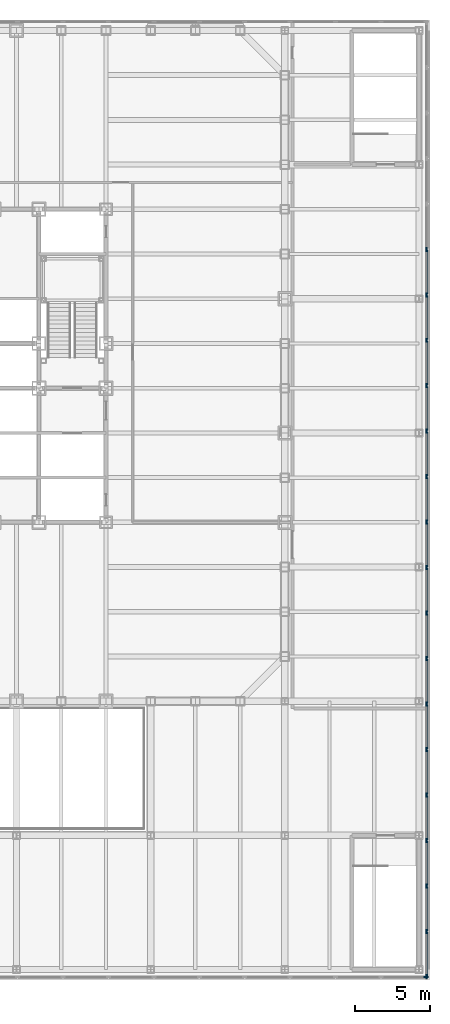
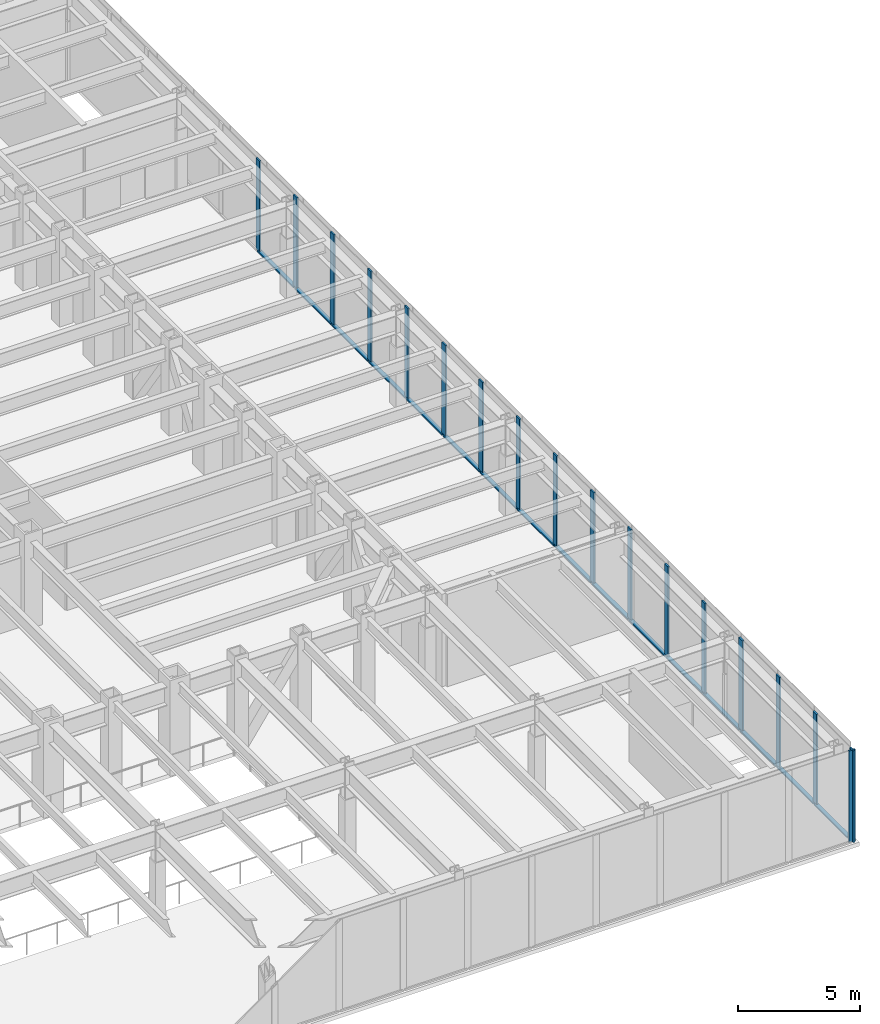
# One storey, part 8 of 24: 34 members, 2 elements without a shape of their own.
"""IFC4 building model written with IfcOpenShell, lengths in metres."""

from ifc_helpers import new_model, si_unit, direction, frame, origin, origin_2d, place, context, subcontext, project, spatial, rectangle, extrude, material, layer, layer_set, material_profile, profile_set, type_object, element, aggregate, save


model = new_model("IFC4")

# Units and contexts
model_context = context("Model", 3, precision=1e-05, world=origin(), true_north=direction((0.0, 1.0)))
body_context = subcontext(model_context, "Body", "Model", "MODEL_VIEW")
ifc_project = project(units=[si_unit("LENGTHUNIT", "METRE"), si_unit("AREAUNIT", "SQUARE_METRE"), si_unit("VOLUMEUNIT", "CUBIC_METRE"), si_unit("PLANEANGLEUNIT", "RADIAN"), si_unit("MASSUNIT", "GRAM", prefix="KILO")], contexts=[model_context])

# Site, building, storey
site_placement = place(None, origin())
site = spatial("IfcSite", under=ifc_project, at=site_placement, CompositionType="ELEMENT")
building_placement = place(site_placement, origin())
building = spatial("IfcBuilding", under=site, at=building_placement, Name="Chuquiago Exchange Tower", CompositionType="ELEMENT")
storey_placement = place(building_placement, frame((0.0, 0.0, 19.5)))
storey = spatial("IfcBuildingStorey", under=building, at=storey_placement, Name="L03", CompositionType="ELEMENT", Elevation=19.5)

# Curtain wall, member
ifc_material_1 = material(Name="Aluminium curtain wall system", Category="aluminium")
ifc_layer = layer(ifc_material_1, 0.300048828125)
ifc_layer_set = layer_set([ifc_layer], Name="CW4 podium curtain wall")
curtain_wall_type = type_object("IfcCurtainWallType", Name="CW4 podium curtain wall", PredefinedType="NOTDEFINED", material=ifc_layer_set)
curtain_wall_1_placement = place(storey_placement, origin())
curtain_wall_1 = element("IfcCurtainWall", 1, at=curtain_wall_1_placement, inside=storey, type_object=curtain_wall_type, Name="CW4 curtain wall L03", PredefinedType="NOTDEFINED")
ifc_material_2 = material(Name="Aluminium mullion, pale anodised", Category="aluminium")
ifc_material_profile_1 = material_profile(ifc_material_2, rectangle(XDim=0.074951171875, YDim=0.300048828125, at=origin_2d()), Name="AL 75x300")
ifc_profile_set_1 = profile_set([ifc_material_profile_1], Name="Aluminium mullion, pale anodised")
member_type_1 = type_object("IfcMemberType", Name="CW4-M mullion 75x300", PredefinedType="MULLION", material=ifc_profile_set_1)
member_1_placement = place(storey_placement, frame((54.46240234375, -18.5, 0.0), z_axis=(0.0, 0.0, 1.0), x_axis=(0.0, 1.0, 0.0)))
member_1 = element("IfcMember", 2, at=member_1_placement, type_object=member_type_1, Name="CW4 mullion 22", PredefinedType="MULLION", context=body_context, shape_type="SweptSolid", body=[
    extrude(rectangle(XDim=0.074951171875, YDim=0.300048828125, at=origin_2d()), origin(), (0.0, 0.0, 1.0), 4.60009765625),
])
aggregate(curtain_wall_1, [member_1])

# Curtain wall, members
curtain_wall_2_placement = place(storey_placement, origin())
curtain_wall_2 = element("IfcCurtainWall", 3, at=curtain_wall_2_placement, inside=storey, type_object=curtain_wall_type, Name="CW4 curtain wall L03", PredefinedType="NOTDEFINED")
member_2_placement = place(storey_placement, frame((54.5, -18.46240234375, 0.0), z_axis=(0.0, 0.0, 1.0), x_axis=(-1.0, 0.0, 0.0)))
member_2 = element("IfcMember", 4, at=member_2_placement, type_object=member_type_1, Name="CW4 mullion 1", PredefinedType="MULLION", context=body_context, shape_type="SweptSolid", body=[
    extrude(rectangle(XDim=0.074951171875, YDim=0.300048828125, at=origin_2d()), origin(), (0.0, 0.0, 1.0), 4.60009765625),
])
member_3_placement = place(storey_placement, frame((54.5, -15.44873046875, 0.0), z_axis=(0.0, 0.0, 1.0), x_axis=(-1.0, 0.0, 0.0)))
member_3 = element("IfcMember", 5, at=member_3_placement, type_object=member_type_1, Name="CW4 mullion 2", PredefinedType="MULLION", context=body_context, shape_type="SweptSolid", body=[
    extrude(rectangle(XDim=0.074951171875, YDim=0.300048828125, at=origin_2d()), origin(), (0.0, 0.0, 1.0), 4.60009765625),
])
member_4_placement = place(storey_placement, frame((54.5, -12.397705078125, 0.0), z_axis=(0.0, 0.0, 1.0), x_axis=(-1.0, 0.0, 0.0)))
member_4 = element("IfcMember", 6, at=member_4_placement, type_object=member_type_1, Name="CW4 mullion 3", PredefinedType="MULLION", context=body_context, shape_type="SweptSolid", body=[
    extrude(rectangle(XDim=0.074951171875, YDim=0.300048828125, at=origin_2d()), origin(), (0.0, 0.0, 1.0), 4.60009765625),
])
member_5_placement = place(storey_placement, frame((54.5, -9.346435546875, 0.0), z_axis=(0.0, 0.0, 1.0), x_axis=(-1.0, 0.0, 0.0)))
member_5 = element("IfcMember", 7, at=member_5_placement, type_object=member_type_1, Name="CW4 mullion 4", PredefinedType="MULLION", context=body_context, shape_type="SweptSolid", body=[
    extrude(rectangle(XDim=0.074951171875, YDim=0.300048828125, at=origin_2d()), origin(), (0.0, 0.0, 1.0), 4.60009765625),
])
member_6_placement = place(storey_placement, frame((54.5, -6.295166015625, 0.0), z_axis=(0.0, 0.0, 1.0), x_axis=(-1.0, 0.0, 0.0)))
member_6 = element("IfcMember", 8, at=member_6_placement, type_object=member_type_1, Name="CW4 mullion 5", PredefinedType="MULLION", context=body_context, shape_type="SweptSolid", body=[
    extrude(rectangle(XDim=0.074951171875, YDim=0.300048828125, at=origin_2d()), origin(), (0.0, 0.0, 1.0), 4.60009765625),
])
member_7_placement = place(storey_placement, frame((54.5, -3.244140625, 0.0), z_axis=(0.0, 0.0, 1.0), x_axis=(-1.0, 0.0, 0.0)))
member_7 = element("IfcMember", 9, at=member_7_placement, type_object=member_type_1, Name="CW4 mullion 6", PredefinedType="MULLION", context=body_context, shape_type="SweptSolid", body=[
    extrude(rectangle(XDim=0.074951171875, YDim=0.300048828125, at=origin_2d()), origin(), (0.0, 0.0, 1.0), 4.60009765625),
])
member_8_placement = place(storey_placement, frame((54.5, -0.19287109375, 0.0), z_axis=(0.0, 0.0, 1.0), x_axis=(-1.0, 0.0, 0.0)))
member_8 = element("IfcMember", 10, at=member_8_placement, type_object=member_type_1, Name="CW4 mullion 7", PredefinedType="MULLION", context=body_context, shape_type="SweptSolid", body=[
    extrude(rectangle(XDim=0.074951171875, YDim=0.300048828125, at=origin_2d()), origin(), (0.0, 0.0, 1.0), 4.60009765625),
])
member_9_placement = place(storey_placement, frame((54.5, 2.8583984375, 0.0), z_axis=(0.0, 0.0, 1.0), x_axis=(-1.0, 0.0, 0.0)))
member_9 = element("IfcMember", 11, at=member_9_placement, type_object=member_type_1, Name="CW4 mullion 8", PredefinedType="MULLION", context=body_context, shape_type="SweptSolid", body=[
    extrude(rectangle(XDim=0.074951171875, YDim=0.300048828125, at=origin_2d()), origin(), (0.0, 0.0, 1.0), 4.60009765625),
])
member_10_placement = place(storey_placement, frame((54.5, 5.909423828125, 0.0), z_axis=(0.0, 0.0, 1.0), x_axis=(-1.0, 0.0, 0.0)))
member_10 = element("IfcMember", 12, at=member_10_placement, type_object=member_type_1, Name="CW4 mullion 9", PredefinedType="MULLION", context=body_context, shape_type="SweptSolid", body=[
    extrude(rectangle(XDim=0.074951171875, YDim=0.300048828125, at=origin_2d()), origin(), (0.0, 0.0, 1.0), 4.60009765625),
])
member_11_placement = place(storey_placement, frame((54.5, 8.960693359375, 0.0), z_axis=(0.0, 0.0, 1.0), x_axis=(-1.0, 0.0, 0.0)))
member_11 = element("IfcMember", 13, at=member_11_placement, type_object=member_type_1, Name="CW4 mullion 10", PredefinedType="MULLION", context=body_context, shape_type="SweptSolid", body=[
    extrude(rectangle(XDim=0.074951171875, YDim=0.300048828125, at=origin_2d()), origin(), (0.0, 0.0, 1.0), 4.60009765625),
])
member_12_placement = place(storey_placement, frame((54.5, 12.011962890625, 0.0), z_axis=(0.0, 0.0, 1.0), x_axis=(-1.0, 0.0, 0.0)))
member_12 = element("IfcMember", 14, at=member_12_placement, type_object=member_type_1, Name="CW4 mullion 11", PredefinedType="MULLION", context=body_context, shape_type="SweptSolid", body=[
    extrude(rectangle(XDim=0.074951171875, YDim=0.300048828125, at=origin_2d()), origin(), (0.0, 0.0, 1.0), 4.60009765625),
])
member_13_placement = place(storey_placement, frame((54.5, 15.06298828125, 0.0), z_axis=(0.0, 0.0, 1.0), x_axis=(-1.0, 0.0, 0.0)))
member_13 = element("IfcMember", 15, at=member_13_placement, type_object=member_type_1, Name="CW4 mullion 12", PredefinedType="MULLION", context=body_context, shape_type="SweptSolid", body=[
    extrude(rectangle(XDim=0.074951171875, YDim=0.300048828125, at=origin_2d()), origin(), (0.0, 0.0, 1.0), 4.60009765625),
])
member_14_placement = place(storey_placement, frame((54.5, 18.1142578125, 0.0), z_axis=(0.0, 0.0, 1.0), x_axis=(-1.0, 0.0, 0.0)))
member_14 = element("IfcMember", 16, at=member_14_placement, type_object=member_type_1, Name="CW4 mullion 13", PredefinedType="MULLION", context=body_context, shape_type="SweptSolid", body=[
    extrude(rectangle(XDim=0.074951171875, YDim=0.300048828125, at=origin_2d()), origin(), (0.0, 0.0, 1.0), 4.60009765625),
])
member_15_placement = place(storey_placement, frame((54.5, 21.16552734375, 0.0), z_axis=(0.0, 0.0, 1.0), x_axis=(-1.0, 0.0, 0.0)))
member_15 = element("IfcMember", 17, at=member_15_placement, type_object=member_type_1, Name="CW4 mullion 14", PredefinedType="MULLION", context=body_context, shape_type="SweptSolid", body=[
    extrude(rectangle(XDim=0.074951171875, YDim=0.300048828125, at=origin_2d()), origin(), (0.0, 0.0, 1.0), 4.60009765625),
])
member_16_placement = place(storey_placement, frame((54.5, 24.216552734375, 0.0), z_axis=(0.0, 0.0, 1.0), x_axis=(-1.0, 0.0, 0.0)))
member_16 = element("IfcMember", 18, at=member_16_placement, type_object=member_type_1, Name="CW4 mullion 15", PredefinedType="MULLION", context=body_context, shape_type="SweptSolid", body=[
    extrude(rectangle(XDim=0.074951171875, YDim=0.300048828125, at=origin_2d()), origin(), (0.0, 0.0, 1.0), 4.60009765625),
])
member_17_placement = place(storey_placement, frame((54.5, 27.267822265625, 0.0), z_axis=(0.0, 0.0, 1.0), x_axis=(-1.0, 0.0, 0.0)))
member_17 = element("IfcMember", 19, at=member_17_placement, type_object=member_type_1, Name="CW4 mullion 16", PredefinedType="MULLION", context=body_context, shape_type="SweptSolid", body=[
    extrude(rectangle(XDim=0.074951171875, YDim=0.300048828125, at=origin_2d()), origin(), (0.0, 0.0, 1.0), 4.60009765625),
])
member_18_placement = place(storey_placement, frame((54.5, 30.319091796875, 0.0), z_axis=(0.0, 0.0, 1.0), x_axis=(-1.0, 0.0, 0.0)))
member_18 = element("IfcMember", 20, at=member_18_placement, type_object=member_type_1, Name="CW4 mullion 17", PredefinedType="MULLION", context=body_context, shape_type="SweptSolid", body=[
    extrude(rectangle(XDim=0.074951171875, YDim=0.300048828125, at=origin_2d()), origin(), (0.0, 0.0, 1.0), 4.60009765625),
])
ifc_material_3 = material(Name="Aluminium transom, pale anodised", Category="aluminium")
ifc_material_profile_2 = material_profile(ifc_material_3, rectangle(XDim=0.179931640625, YDim=0.074951171875, at=origin_2d()), Name="AL 180x75")
ifc_profile_set_2 = profile_set([ifc_material_profile_2], Name="Aluminium transom, pale anodised")
member_type_2 = type_object("IfcMemberType", Name="CW4-T transom 75x180", PredefinedType="MULLION", material=ifc_profile_set_2)
member_19_placement = place(storey_placement, frame((54.5, -18.425048828125, 0.03759765625), z_axis=(0.0, 1.0, 0.0), x_axis=(-1.0, 0.0, 0.0)))
member_19 = element("IfcMember", 21, at=member_19_placement, type_object=member_type_2, Name="CW4 transom 1.1", PredefinedType="MULLION", context=body_context, shape_type="SweptSolid", body=[
    extrude(rectangle(XDim=0.179931640625, YDim=0.074951171875, at=origin_2d()), origin(), (0.0, 0.0, 1.0), 2.938720703125),
])
member_20_placement = place(storey_placement, frame((54.5, -15.411376953125, 0.03759765625), z_axis=(0.0, 1.0, 0.0), x_axis=(-1.0, 0.0, 0.0)))
member_20 = element("IfcMember", 22, at=member_20_placement, type_object=member_type_2, Name="CW4 transom 2.1", PredefinedType="MULLION", context=body_context, shape_type="SweptSolid", body=[
    extrude(rectangle(XDim=0.179931640625, YDim=0.074951171875, at=origin_2d()), origin(), (0.0, 0.0, 1.0), 2.976318359375),
])
member_21_placement = place(storey_placement, frame((54.5, -12.360107421875, 0.03759765625), z_axis=(0.0, 1.0, 0.0), x_axis=(-1.0, 0.0, 0.0)))
member_21 = element("IfcMember", 23, at=member_21_placement, type_object=member_type_2, Name="CW4 transom 3.1", PredefinedType="MULLION", context=body_context, shape_type="SweptSolid", body=[
    extrude(rectangle(XDim=0.179931640625, YDim=0.074951171875, at=origin_2d()), origin(), (0.0, 0.0, 1.0), 2.97607421875),
])
member_22_placement = place(storey_placement, frame((54.5, -9.308837890625, 0.03759765625), z_axis=(0.0, 1.0, 0.0), x_axis=(-1.0, 0.0, 0.0)))
member_22 = element("IfcMember", 24, at=member_22_placement, type_object=member_type_2, Name="CW4 transom 4.1", PredefinedType="MULLION", context=body_context, shape_type="SweptSolid", body=[
    extrude(rectangle(XDim=0.179931640625, YDim=0.074951171875, at=origin_2d()), origin(), (0.0, 0.0, 1.0), 2.97607421875),
])
member_23_placement = place(storey_placement, frame((54.5, -6.2578125, 0.03759765625), z_axis=(0.0, 1.0, 0.0), x_axis=(-1.0, 0.0, 0.0)))
member_23 = element("IfcMember", 25, at=member_23_placement, type_object=member_type_2, Name="CW4 transom 5.1", PredefinedType="MULLION", context=body_context, shape_type="SweptSolid", body=[
    extrude(rectangle(XDim=0.179931640625, YDim=0.074951171875, at=origin_2d()), origin(), (0.0, 0.0, 1.0), 2.976318359375),
])
member_24_placement = place(storey_placement, frame((54.5, -3.20654296875, 0.03759765625), z_axis=(0.0, 1.0, 0.0), x_axis=(-1.0, 0.0, 0.0)))
member_24 = element("IfcMember", 26, at=member_24_placement, type_object=member_type_2, Name="CW4 transom 6.1", PredefinedType="MULLION", context=body_context, shape_type="SweptSolid", body=[
    extrude(rectangle(XDim=0.179931640625, YDim=0.074951171875, at=origin_2d()), origin(), (0.0, 0.0, 1.0), 2.97607421875),
])
member_25_placement = place(storey_placement, frame((54.5, -0.1552734375, 0.03759765625), z_axis=(0.0, 1.0, 0.0), x_axis=(-1.0, 0.0, 0.0)))
member_25 = element("IfcMember", 27, at=member_25_placement, type_object=member_type_2, Name="CW4 transom 7.1", PredefinedType="MULLION", context=body_context, shape_type="SweptSolid", body=[
    extrude(rectangle(XDim=0.179931640625, YDim=0.074951171875, at=origin_2d()), origin(), (0.0, 0.0, 1.0), 2.97607421875),
])
member_26_placement = place(storey_placement, frame((54.5, 2.895751953125, 0.03759765625), z_axis=(0.0, 1.0, 0.0), x_axis=(-1.0, 0.0, 0.0)))
member_26 = element("IfcMember", 28, at=member_26_placement, type_object=member_type_2, Name="CW4 transom 8.1", PredefinedType="MULLION", context=body_context, shape_type="SweptSolid", body=[
    extrude(rectangle(XDim=0.179931640625, YDim=0.074951171875, at=origin_2d()), origin(), (0.0, 0.0, 1.0), 2.976318359375),
])
member_27_placement = place(storey_placement, frame((54.5, 5.947021484375, 0.03759765625), z_axis=(0.0, 1.0, 0.0), x_axis=(-1.0, 0.0, 0.0)))
member_27 = element("IfcMember", 29, at=member_27_placement, type_object=member_type_2, Name="CW4 transom 9.1", PredefinedType="MULLION", context=body_context, shape_type="SweptSolid", body=[
    extrude(rectangle(XDim=0.179931640625, YDim=0.074951171875, at=origin_2d()), origin(), (0.0, 0.0, 1.0), 2.97607421875),
])
member_28_placement = place(storey_placement, frame((54.5, 8.998291015625, 0.03759765625), z_axis=(0.0, 1.0, 0.0), x_axis=(-1.0, 0.0, 0.0)))
member_28 = element("IfcMember", 30, at=member_28_placement, type_object=member_type_2, Name="CW4 transom 10.1", PredefinedType="MULLION", context=body_context, shape_type="SweptSolid", body=[
    extrude(rectangle(XDim=0.179931640625, YDim=0.074951171875, at=origin_2d()), origin(), (0.0, 0.0, 1.0), 2.97607421875),
])
member_29_placement = place(storey_placement, frame((54.5, 12.04931640625, 0.03759765625), z_axis=(0.0, 1.0, 0.0), x_axis=(-1.0, 0.0, 0.0)))
member_29 = element("IfcMember", 31, at=member_29_placement, type_object=member_type_2, Name="CW4 transom 11.1", PredefinedType="MULLION", context=body_context, shape_type="SweptSolid", body=[
    extrude(rectangle(XDim=0.179931640625, YDim=0.074951171875, at=origin_2d()), origin(), (0.0, 0.0, 1.0), 2.976318359375),
])
member_30_placement = place(storey_placement, frame((54.5, 15.1005859375, 0.03759765625), z_axis=(0.0, 1.0, 0.0), x_axis=(-1.0, 0.0, 0.0)))
member_30 = element("IfcMember", 32, at=member_30_placement, type_object=member_type_2, Name="CW4 transom 12.1", PredefinedType="MULLION", context=body_context, shape_type="SweptSolid", body=[
    extrude(rectangle(XDim=0.179931640625, YDim=0.074951171875, at=origin_2d()), origin(), (0.0, 0.0, 1.0), 2.976318359375),
])
member_31_placement = place(storey_placement, frame((54.5, 18.15185546875, 0.03759765625), z_axis=(0.0, 1.0, 0.0), x_axis=(-1.0, 0.0, 0.0)))
member_31 = element("IfcMember", 33, at=member_31_placement, type_object=member_type_2, Name="CW4 transom 13.1", PredefinedType="MULLION", context=body_context, shape_type="SweptSolid", body=[
    extrude(rectangle(XDim=0.179931640625, YDim=0.074951171875, at=origin_2d()), origin(), (0.0, 0.0, 1.0), 2.97607421875),
])
member_32_placement = place(storey_placement, frame((54.5, 21.202880859375, 0.03759765625), z_axis=(0.0, 1.0, 0.0), x_axis=(-1.0, 0.0, 0.0)))
member_32 = element("IfcMember", 34, at=member_32_placement, type_object=member_type_2, Name="CW4 transom 14.1", PredefinedType="MULLION", context=body_context, shape_type="SweptSolid", body=[
    extrude(rectangle(XDim=0.179931640625, YDim=0.074951171875, at=origin_2d()), origin(), (0.0, 0.0, 1.0), 2.976318359375),
])
member_33_placement = place(storey_placement, frame((54.5, 24.254150390625, 0.03759765625), z_axis=(0.0, 1.0, 0.0), x_axis=(-1.0, 0.0, 0.0)))
member_33 = element("IfcMember", 35, at=member_33_placement, type_object=member_type_2, Name="CW4 transom 15.1", PredefinedType="MULLION", context=body_context, shape_type="SweptSolid", body=[
    extrude(rectangle(XDim=0.179931640625, YDim=0.074951171875, at=origin_2d()), origin(), (0.0, 0.0, 1.0), 2.976318359375),
])
member_34_placement = place(storey_placement, frame((54.5, 27.305419921875, 0.03759765625), z_axis=(0.0, 1.0, 0.0), x_axis=(-1.0, 0.0, 0.0)))
member_34 = element("IfcMember", 36, at=member_34_placement, type_object=member_type_2, Name="CW4 transom 16.1", PredefinedType="MULLION", context=body_context, shape_type="SweptSolid", body=[
    extrude(rectangle(XDim=0.179931640625, YDim=0.074951171875, at=origin_2d()), origin(), (0.0, 0.0, 1.0), 2.97607421875),
])
aggregate(curtain_wall_2, [member_2, member_3, member_4, member_5, member_6, member_7, member_8, member_9, member_10, member_11, member_12, member_13, member_14, member_15, member_16, member_17, member_18, member_19, member_20, member_21, member_22, member_23, member_24, member_25, member_26, member_27, member_28, member_29, member_30, member_31, member_32, member_33, member_34])

save(model, "model.ifc")
